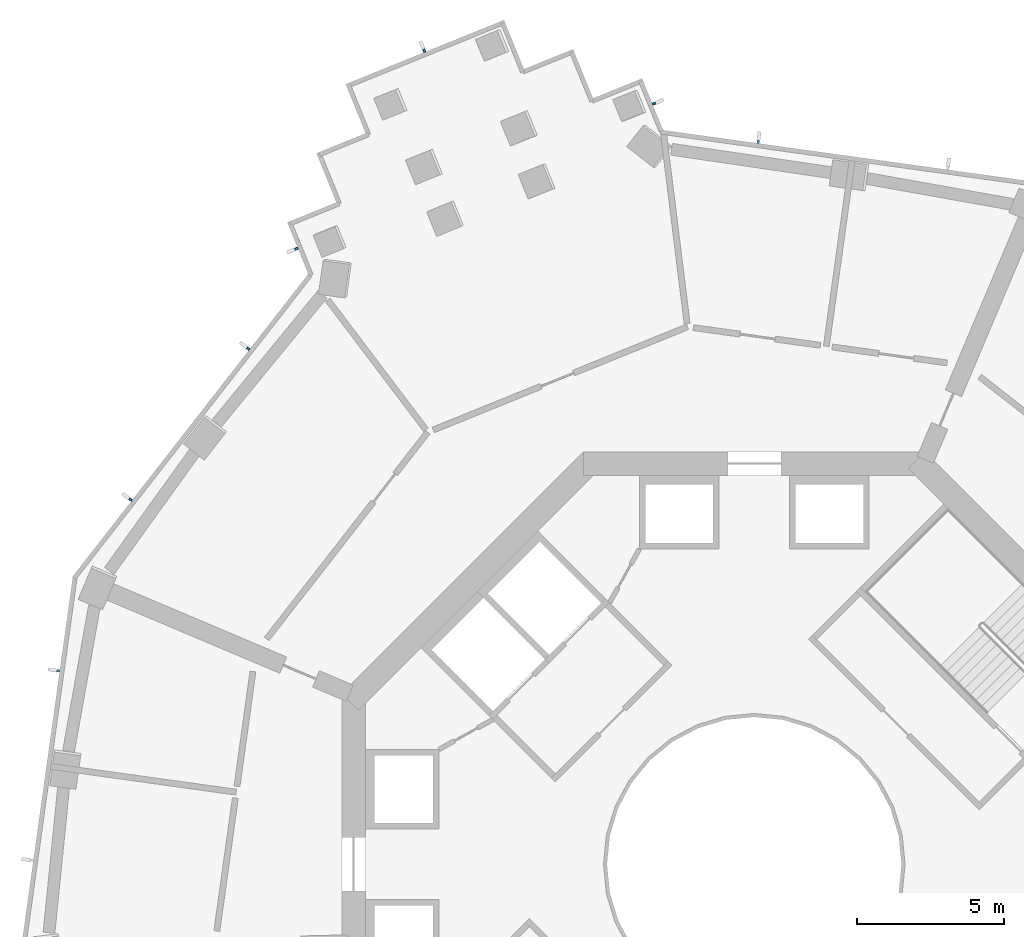
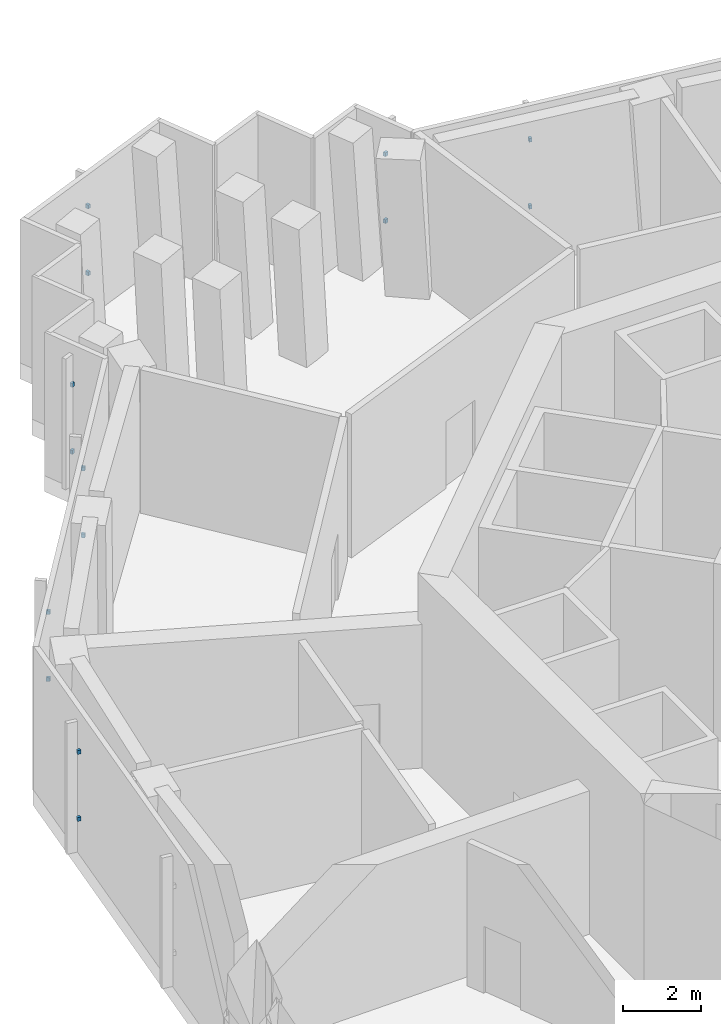
# One storey, part 10 of 17: 14 discrete accessories.
"""IFC4 building model written with IfcOpenShell, lengths in metres."""

from ifc_helpers import new_model, si_unit, direction, frame, origin, origin_2d, place, context, subcontext, project, spatial, rectangle, extrude, element, save


model = new_model("IFC4")

# Units and contexts
model_context = context("Model", 3, precision=1e-05, world=origin(), true_north=direction((0.0, 1.0)))
body_context = subcontext(model_context, "Body", "Model", "MODEL_VIEW")
ifc_project = project(units=[si_unit("LENGTHUNIT", "METRE"), si_unit("AREAUNIT", "SQUARE_METRE"), si_unit("VOLUMEUNIT", "CUBIC_METRE"), si_unit("PLANEANGLEUNIT", "RADIAN"), si_unit("MASSUNIT", "GRAM", prefix="KILO")], contexts=[model_context])

# Site, building, storey
site_placement = place(None, origin())
site = spatial("IfcSite", under=ifc_project, at=site_placement, CompositionType="ELEMENT")
building_placement = place(site_placement, origin())
building = spatial("IfcBuilding", under=site, at=building_placement, Name="Verdalira Terraces Hotel", CompositionType="ELEMENT")
storey_placement = place(building_placement, frame((0.0, 0.0, 122.0)))
storey = spatial("IfcBuildingStorey", under=building, at=storey_placement, Name="L29", CompositionType="ELEMENT", Elevation=122.0)

# Discrete accessories
for number, where, z_axis, x_axis, name in (
    (1, (-3.405273, 25.819336, 1.139893), (0.0, 0.0, 1.0), (-0.375900821, 0.926659901, 0.0), "Fin bracket"),
    (2, (-3.405273, 25.819336, 3.23999), (0.0, 0.0, 1.0), (-0.375900821, 0.926659901, 0.0), "Fin bracket"),
    (3, (-11.202881, 27.617188, 1.139893), (0.0, 0.0, 1.0), (-0.926659901, -0.375900821, 0.0), "Fin bracket"),
    (4, (-11.202881, 27.617188, 3.23999), (0.0, 0.0, 1.0), (-0.926659901, -0.375900821, 0.0), "Fin bracket"),
    (5, (-15.544434, 20.89502, 1.139893), (0.0, 0.0, 1.0), (0.375900821, -0.926659901, 0.0), "Fin bracket"),
    (6, (-15.544434, 20.89502, 3.23999), (0.0, 0.0, 1.0), (0.375900821, -0.926659901, 0.0), "Fin bracket"),
    (7, (-17.178711, 17.502686, 1.139893), (0.0, 0.0, 1.0), (-0.614560605, -0.788869611, 0.0), "Fin bracket"),
    (8, (-17.178711, 17.502686, 3.23999), (0.0, 0.0, 1.0), (-0.614560605, -0.788869611, 0.0), "Fin bracket"),
    (9, (-21.17334, 12.375, 1.139893), (0.0, 0.0, 1.0), (-0.614560605, -0.788869611, 0.0), "Fin bracket"),
    (10, (-21.17334, 12.375, 3.23999), (0.0, 0.0, 1.0), (-0.614560605, -0.788869611, 0.0), "Fin bracket"),
    (11, (-23.628662, 6.568359, 1.139893), (0.0, 0.0, 1.0), (-0.137790291, -0.990461426, 0.0), "Fin bracket"),
    (12, (-23.628662, 6.568359, 3.23999), (0.0, 0.0, 1.0), (-0.137790291, -0.990461426, 0.0), "Fin bracket"),
    (13, (0.130371, 24.52417, 1.139893), (0.0, 0.0, 1.0), (-0.990461426, 0.137790291, 0.0), "Fin bracket"),
    (14, (0.130371, 24.52417, 3.23999), (0.0, 0.0, 1.0), (-0.990461426, 0.137790291, 0.0), "Fin bracket"),
):
    element("IfcDiscreteAccessory", number, at=place(storey_placement, frame(where, z_axis=z_axis, x_axis=x_axis)), inside=storey, Name=name, PredefinedType="BRACKET", context=body_context, shape_type="SweptSolid", body=[
        extrude(rectangle(XDim=0.080078, YDim=0.100098, at=origin_2d()), origin(), (0.0, 0.0, 1.0), 0.120117),
    ])

save(model, "model.ifc")
